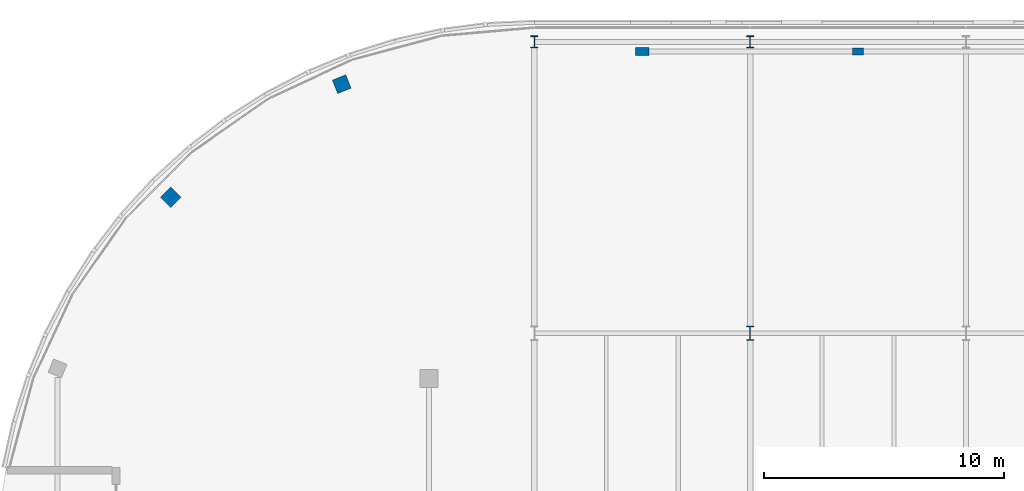
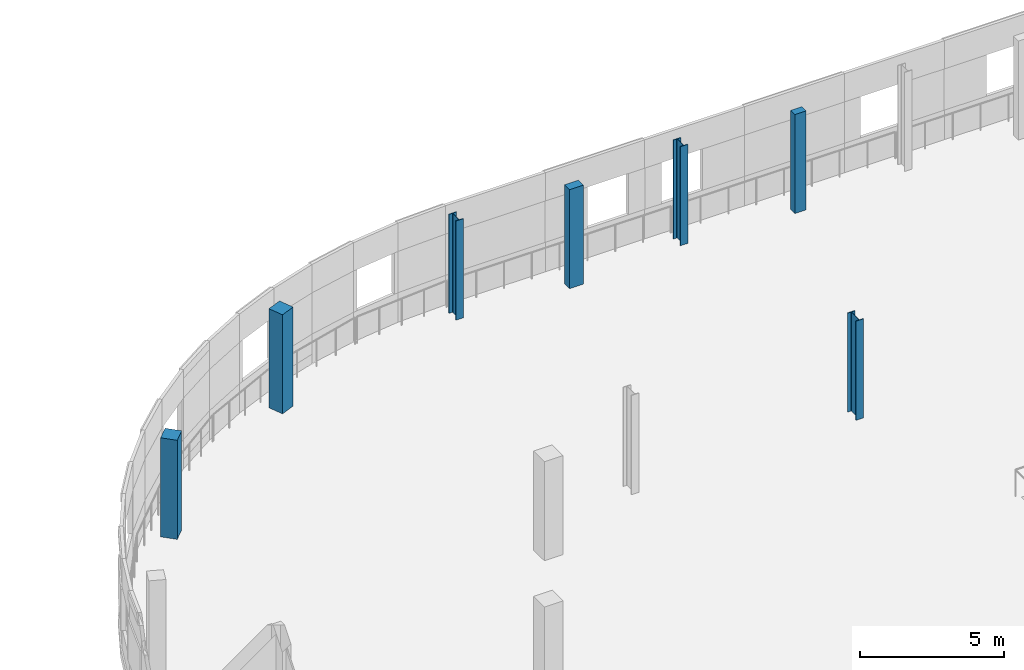
# One storey, part 11 of 140: 7 columns.
"""IFC4 building model written with IfcOpenShell, lengths in metres."""

from ifc_helpers import new_model, si_unit, direction, frame, origin, origin_2d, place, context, subcontext, project, spatial, rectangle, i_section, extrude, material, material_profile, profile_set, type_object, element, save


model = new_model("IFC4")

# Units and contexts
model_context = context("Model", 3, precision=1e-05, world=origin(), true_north=direction((0.0, 1.0)))
body_context = subcontext(model_context, "Body", "Model", "MODEL_VIEW")
ifc_project = project(units=[si_unit("LENGTHUNIT", "METRE"), si_unit("AREAUNIT", "SQUARE_METRE"), si_unit("VOLUMEUNIT", "CUBIC_METRE"), si_unit("PLANEANGLEUNIT", "RADIAN"), si_unit("MASSUNIT", "GRAM", prefix="KILO")], contexts=[model_context])

# Site, building, storey
site_placement = place(None, origin())
site = spatial("IfcSite", under=ifc_project, at=site_placement, CompositionType="ELEMENT")
building_placement = place(site_placement, origin())
building = spatial("IfcBuilding", under=site, at=building_placement, Name="Deido Ridge Mobility Hub", CompositionType="ELEMENT")
storey_placement = place(building_placement, origin())
storey = spatial("IfcBuildingStorey", under=building, at=storey_placement, Name="L00", CompositionType="ELEMENT", Elevation=0.0)

# Columns
ifc_material_1 = material(Name="Steel S355J2 EN 10025-2", Category="steel")
ifc_material_profile_1 = material_profile(ifc_material_1, i_section(OverallWidth=0.300048828125, OverallDepth=0.5, WebThickness=0.014404296875, FlangeThickness=0.028076171875, FilletRadius=0.027099609375, at=origin_2d()), Name="HEB 500")
ifc_profile_set_1 = profile_set([ifc_material_profile_1], Name="Steel S355J2 EN 10025-2")
column_type_1 = type_object("IfcColumnType", Name="COL-HEB500", PredefinedType="COLUMN", material=ifc_profile_set_1)
for number, where, z_axis, x_axis, name in (
    (1, (45.0, 125.14990234375, 0.0), (0.0, 0.0, 1.0), (1.0, 0.0, 0.0), "Structural column C5"),
    (2, (54.0, 125.14990234375, 0.0), (0.0, 0.0, 1.0), (1.0, 0.0, 0.0), "Structural column C5"),
):
    element("IfcColumn", number, at=place(storey_placement, frame(where, z_axis=z_axis, x_axis=x_axis)), inside=storey, type_object=column_type_1, Name=name, PredefinedType="COLUMN", context=body_context, shape_type="SweptSolid", body=[
        extrude(i_section(OverallWidth=0.300048828125, OverallDepth=0.5, WebThickness=0.014404296875, FlangeThickness=0.028076171875, FilletRadius=0.027099609375, at=origin_2d()), origin(), (0.0, 0.0, 1.0), 4.199951171875),
    ])
ifc_material_profile_2 = material_profile(ifc_material_1, i_section(OverallWidth=0.300048828125, OverallDepth=0.60009765625, WebThickness=0.015380859375, FlangeThickness=0.030029296875, FilletRadius=0.027099609375, at=origin_2d()), Name="HEB 600")
ifc_profile_set_2 = profile_set([ifc_material_profile_2], Name="Steel S355J2 EN 10025-2")
column_type_2 = type_object("IfcColumnType", Name="COL-HEB600", PredefinedType="COLUMN", material=ifc_profile_set_2)
column_1_placement = place(storey_placement, frame((54.0, 113.0, 0.0), z_axis=(0.0, 0.0, 1.0), x_axis=(1.0, 0.0, 0.0)))
element("IfcColumn", 3, at=column_1_placement, inside=storey, type_object=column_type_2, Name="Structural column C4", PredefinedType="COLUMN", context=body_context, shape_type="SweptSolid", body=[
    extrude(i_section(OverallWidth=0.300048828125, OverallDepth=0.60009765625, WebThickness=0.015380859375, FlangeThickness=0.030029296875, FilletRadius=0.027099609375, at=origin_2d()), origin(), (0.0, 0.0, 1.0), 4.199951171875),
])
ifc_material_2 = material(Name="Concrete C40/50", Category="concrete")
ifc_material_profile_3 = material_profile(ifc_material_2, rectangle(XDim=0.60009765625, YDim=0.60009765625, at=origin_2d()), Name="RC COL 600x600")
ifc_profile_set_3 = profile_set([ifc_material_profile_3], Name="Concrete C40/50")
column_type_3 = type_object("IfcColumnType", Name="COL-RC600", PredefinedType="COLUMN", material=ifc_profile_set_3)
for number, where, z_axis, x_axis, name in (
    (4, (36.964599609375, 123.38818359375, 0.0), (0.0, 0.0, 1.0), (-0.374606593416, 0.927183854567, 0.0), "Structural column RC2"),
    (5, (29.83251953125, 118.66748046875, 0.0), (0.0, 0.0, 1.0), (-0.707106781187, 0.707106781187, 0.0), "Structural column RC2"),
):
    element("IfcColumn", number, at=place(storey_placement, frame(where, z_axis=z_axis, x_axis=x_axis)), inside=storey, type_object=column_type_3, Name=name, PredefinedType="COLUMN", context=body_context, shape_type="SweptSolid", body=[
        extrude(rectangle(XDim=0.60009765625, YDim=0.60009765625, at=origin_2d()), origin(), (0.0, 0.0, 1.0), 4.199951171875),
    ])
ifc_material_profile_4 = material_profile(ifc_material_2, rectangle(XDim=0.449951171875, YDim=0.300048828125, at=origin_2d()), Name="RC PILASTER 450x300")
ifc_profile_set_4 = profile_set([ifc_material_profile_4], Name="Concrete C40/50")
column_type_4 = type_object("IfcColumnType", Name="PIL-RC450", PredefinedType="PILASTER", material=ifc_profile_set_4)
column_2_placement = place(storey_placement, frame((58.5, 124.75, 0.0), z_axis=(0.0, 0.0, 1.0), x_axis=(1.0, 0.0, 0.0)))
element("IfcColumn", 6, at=column_2_placement, inside=storey, type_object=column_type_4, Name="Structural column PL2", PredefinedType="PILASTER", context=body_context, shape_type="SweptSolid", body=[
    extrude(rectangle(XDim=0.449951171875, YDim=0.300048828125, at=origin_2d()), origin(), (0.0, 0.0, 1.0), 4.199951171875),
])
ifc_material_profile_5 = material_profile(ifc_material_2, rectangle(XDim=0.550048828125, YDim=0.35009765625, at=origin_2d()), Name="RC PILASTER 550x350")
ifc_profile_set_5 = profile_set([ifc_material_profile_5], Name="Concrete C40/50")
column_type_5 = type_object("IfcColumnType", Name="PIL-RC550", PredefinedType="PILASTER", material=ifc_profile_set_5)
column_3_placement = place(storey_placement, frame((49.5, 124.75, 0.0), z_axis=(0.0, 0.0, 1.0), x_axis=(1.0, 0.0, 0.0)))
element("IfcColumn", 7, at=column_3_placement, inside=storey, type_object=column_type_5, Name="Structural column PL1", PredefinedType="PILASTER", context=body_context, shape_type="SweptSolid", body=[
    extrude(rectangle(XDim=0.550048828125, YDim=0.35009765625, at=origin_2d()), origin(), (0.0, 0.0, 1.0), 4.199951171875),
])

save(model, "model.ifc")
